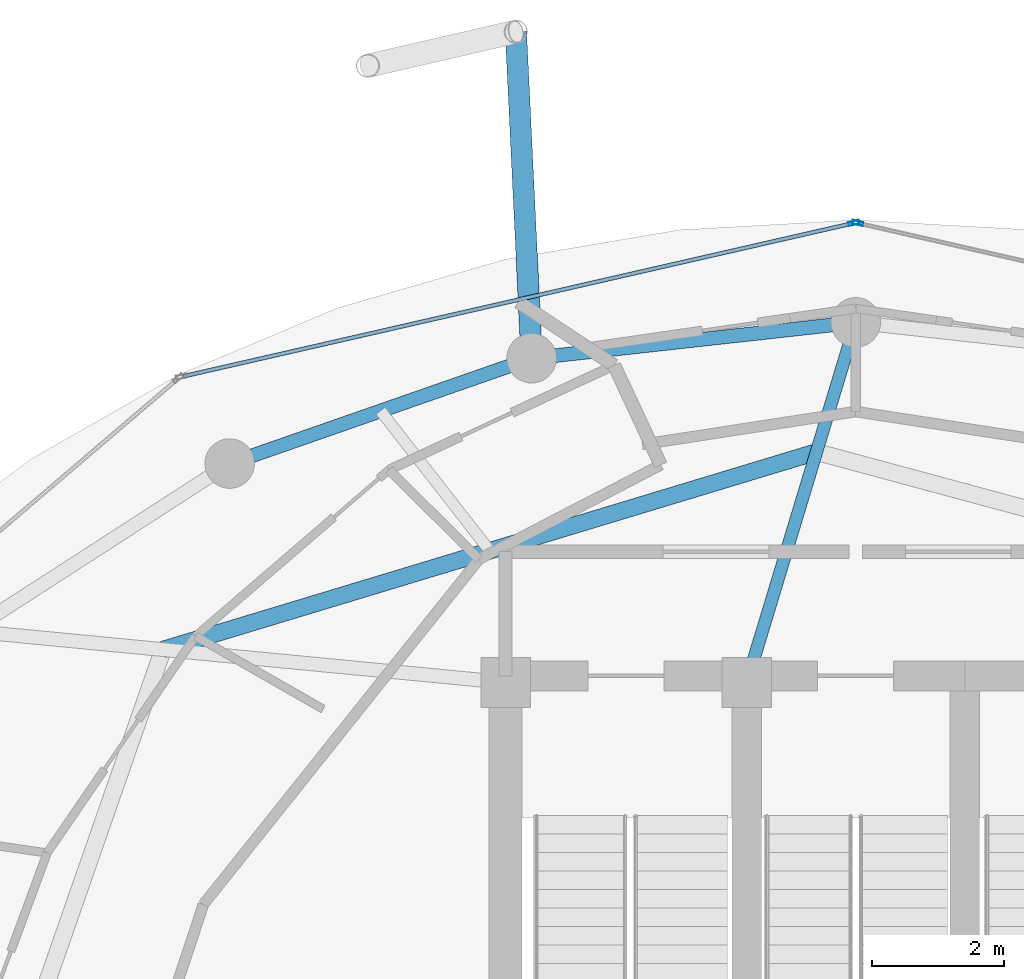
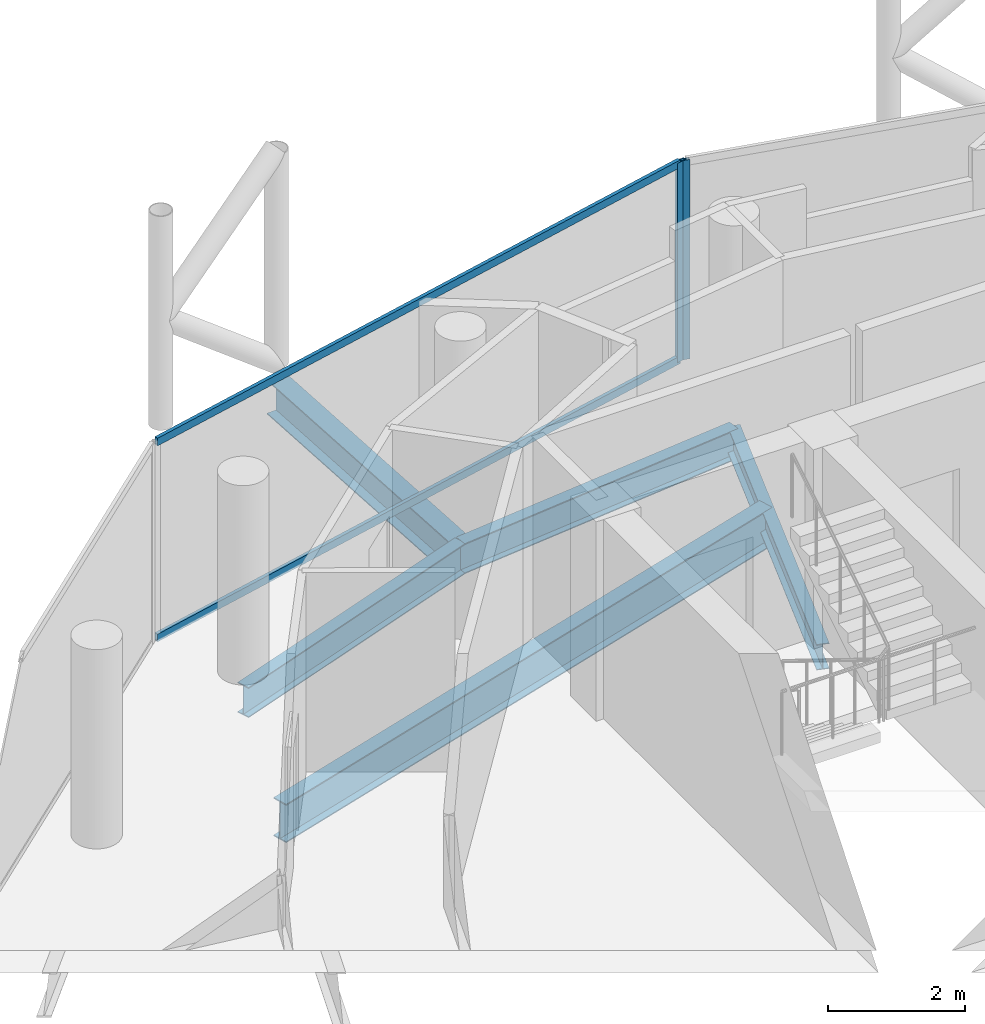
# One storey, part 16 of 24: 5 beams, 4 members, 2 elements without a shape of their own.
"""IFC4 building model written with IfcOpenShell, lengths in metres."""

import ifcopenshell
import ifcopenshell.guid

model = None  # the IFC model being written
_history = None  # IfcOwnerHistory: only IFC2X3 demands one
_inside = {}  # id of a spatial element -> (the spatial element, [elements in it])
_under = {}  # id of a project, library or spatial element -> (it, [spatial elements below it])
_declared = {}  # id of a project -> (the project, [libraries it declares])
_typed = {}  # id of a type object -> (the type object, [elements of that type])
_made_of = {}  # id of a material, layer set ... -> (it, [elements and type objects made of it])


def new_model(schema):
    """Start an empty IFC model of exactly this schema.

    Asked for "IFC4X3", IfcOpenShell would pick the latest addendum, in which some entities
    have other attributes; the version numbers below select the first issue.
    IFC2X3 requires an IfcOwnerHistory on every rooted entity: one is made here for all.
    """
    global model, _history
    if schema == "IFC4X3":
        model = ifcopenshell.file(schema_version=(4, 3, 0, 0))
    else:
        model = ifcopenshell.file(schema=schema)
    _inside.clear()
    _under.clear()
    _declared.clear()
    _typed.clear()
    _made_of.clear()
    _history = None
    if model.schema == "IFC2X3":
        org = make("IfcOrganization", Name="unknown")
        user = make(
            "IfcPersonAndOrganization",
            ThePerson=make("IfcPerson", FamilyName="unknown"),
            TheOrganization=org,
        )
        app = make(
            "IfcApplication",
            ApplicationDeveloper=org,
            Version="unknown",
            ApplicationFullName="unknown",
            ApplicationIdentifier="unknown",
        )
        _history = make(
            "IfcOwnerHistory",
            OwningUser=user,
            OwningApplication=app,
            ChangeAction="ADDED",
            CreationDate=0,
        )
    return model


def make(cls, **values):
    """One entity of the class cls with the attributes given. An attribute that is None is left unset."""
    return model.create_entity(
        cls, **{name: value for name, value in values.items() if value is not None}
    )


def rooted(cls, **values):
    """An entity with a GlobalId (a new one), such as an element, a storey or a relation."""
    return make(cls, GlobalId=ifcopenshell.guid.new(), OwnerHistory=_history, **values)


def si_unit(unit_type, name, prefix=None):
    """IfcSIUnit, for example si_unit("LENGTHUNIT", "METRE", prefix="MILLI")."""
    return make("IfcSIUnit", UnitType=unit_type, Prefix=prefix, Name=name)


def assignment(units):
    """IfcUnitAssignment: the units of a project."""
    return None if units is None else make("IfcUnitAssignment", Units=units)


def point(xyz):
    """IfcCartesianPoint."""
    return None if xyz is None else make("IfcCartesianPoint", Coordinates=xyz)


def direction(xyz):
    """IfcDirection."""
    return None if xyz is None else make("IfcDirection", DirectionRatios=xyz)


def frame(location, z_axis=None, x_axis=None):
    """IfcAxis2Placement3D, a coordinate frame: its origin and axes. An axis left out is left unset."""
    return make(
        "IfcAxis2Placement3D",
        Location=point(location),
        Axis=direction(z_axis),
        RefDirection=direction(x_axis),
    )


def frame_2d(location, x_axis=None):
    """IfcAxis2Placement2D, a coordinate frame in the plane: its origin and x axis."""
    return make(
        "IfcAxis2Placement2D", Location=point(location), RefDirection=direction(x_axis)
    )


def origin():
    """The frame at (0, 0, 0) with its axes left unset."""
    return frame((0.0, 0.0, 0.0))


def origin_2d():
    """The frame at (0, 0) in the plane with its x axis left unset."""
    return frame_2d((0.0, 0.0))


def place(relative_to, where):
    """IfcLocalPlacement: puts the frame where relative to a parent placement (None: the world)."""
    return make(
        "IfcLocalPlacement", PlacementRelTo=relative_to, RelativePlacement=where
    )


def context(
    kind, dimensions, precision=None, world=None, true_north=None, identifier=None
):
    """IfcGeometricRepresentationContext, for example the 3D "Model" context."""
    return make(
        "IfcGeometricRepresentationContext",
        ContextIdentifier=identifier,
        ContextType=kind,
        CoordinateSpaceDimension=dimensions,
        Precision=precision,
        WorldCoordinateSystem=world,
        TrueNorth=true_north,
    )


def subcontext(parent, identifier, kind, view, scale=None):
    """IfcGeometricRepresentationSubContext, for example "Body" below "Model"."""
    return make(
        "IfcGeometricRepresentationSubContext",
        ContextIdentifier=identifier,
        ContextType=kind,
        ParentContext=parent,
        TargetScale=scale,
        TargetView=view,
    )


def project(units=None, contexts=None):
    """IfcProject with its units and contexts."""
    return rooted(
        "IfcProject",
        Name="project",
        RepresentationContexts=contexts,
        UnitsInContext=assignment(units),
    )


def spatial(cls, under=None, at=None, **own):
    """A site, building, storey or space (cls), placed at a placement, below another one or the project."""
    s = rooted(cls, ObjectPlacement=at, **own)
    if under is not None:
        _under.setdefault(under.id(), (under, []))[1].append(s)
    return s


def profile(cls, at=None, kind="AREA", **sizes):
    """A parametric profile (cls). Its sizes go by their IFC names, for example OverallWidth=200.0."""
    return make(cls, ProfileType=kind, Position=at, **sizes)


def hollow_rectangle(**sizes):
    """IfcRectangleHollowProfileDef."""
    return profile("IfcRectangleHollowProfileDef", **sizes)


def i_section(**sizes):
    """IfcIShapeProfileDef."""
    return profile("IfcIShapeProfileDef", **sizes)


def extrude(swept, where, along, depth):
    """IfcExtrudedAreaSolid: the profile swept, set in the frame where, extruded along a direction by depth."""
    return make(
        "IfcExtrudedAreaSolid",
        SweptArea=swept,
        Position=where,
        ExtrudedDirection=direction(along),
        Depth=depth,
    )


def shape(context_of_items, identifier, shape_type, items):
    """IfcShapeRepresentation: the items that make up one representation, for example the "Body"."""
    return make(
        "IfcShapeRepresentation",
        ContextOfItems=context_of_items,
        RepresentationIdentifier=identifier,
        RepresentationType=shape_type,
        Items=items,
    )


def material(Name=None, Category=None):
    """IfcMaterial."""
    return make("IfcMaterial", Name=Name, Category=Category)


def layer(
    of_material, thickness, ventilated=None, Name=None, Category=None, Priority=None
):
    """IfcMaterialLayer: one layer of a wall or slab, of a material (None: an air gap)."""
    return make(
        "IfcMaterialLayer",
        Material=of_material,
        LayerThickness=thickness,
        IsVentilated=ventilated,
        Name=Name,
        Category=Category,
        Priority=Priority,
    )


def layer_set(layers, Name=None):
    """IfcMaterialLayerSet."""
    return make("IfcMaterialLayerSet", MaterialLayers=layers, LayerSetName=Name)


def material_profile(
    of_material, cross_section, Name=None, Category=None, Priority=None
):
    """IfcMaterialProfile: a cross section and its material."""
    return make(
        "IfcMaterialProfile",
        Name=Name,
        Material=of_material,
        Profile=cross_section,
        Priority=Priority,
        Category=Category,
    )


def profile_set(profiles, Name=None, composite=None):
    """IfcMaterialProfileSet."""
    return make(
        "IfcMaterialProfileSet",
        Name=Name,
        MaterialProfiles=profiles,
        CompositeProfile=composite,
    )


def made_of(thing, what):
    """Note that an element or type object is made of a material, layer set ...; save() writes the relation."""
    if what is not None:
        _made_of.setdefault(what.id(), (what, []))[1].append(thing)
    return thing


def type_object(cls, material=None, **own):
    """A type object (cls), such as IfcWallType, which elements share."""
    return made_of(rooted(cls, **own), material)


def element(
    cls,
    number,
    at=None,
    inside=None,
    cuts=None,
    type_object=None,
    material=None,
    context=None,
    identifier="Body",
    shape_type=None,
    held_by="IfcProductDefinitionShape",
    body=None,
    shapes=None,
    **own,
):
    """One element of the class cls, such as IfcWall. Its Tag is "e" and its number.

    at: its placement. inside: the storey or other place that contains it. cuts: it is an
    opening in that element (IfcRelVoidsElement). A single representation is given by context,
    identifier, shape_type and body (its items); several are given by shapes. held_by: the class
    of the entity that holds the representations. save() writes the other relations.
    """
    e = rooted(cls, Tag="e%d" % number, ObjectPlacement=at, **own)
    if body is not None:
        shapes = [shape(context, identifier, shape_type, body)]
    if shapes is not None:
        e.Representation = make(held_by, Representations=shapes)
    if inside is not None:
        _inside.setdefault(inside.id(), (inside, []))[1].append(e)
    if cuts is not None:
        rooted(
            "IfcRelVoidsElement", RelatingBuildingElement=cuts, RelatedOpeningElement=e
        )
    if type_object is not None:
        _typed.setdefault(type_object.id(), (type_object, []))[1].append(e)
    return made_of(e, material)


def aggregate(whole, parts):
    """IfcRelAggregates: a whole, such as a stair, and the parts it consists of."""
    return rooted("IfcRelAggregates", RelatingObject=whole, RelatedObjects=parts)


def save(model, path):
    """Write the relations noted so far, then the file.

    IfcRelAggregates (storeys below a building ...), IfcRelContainedInSpatialStructure (elements
    in a storey), IfcRelDefinesByType, IfcRelAssociatesMaterial and IfcRelDeclares: one each for
    every whole, place, type object, material and project.
    """
    for whole, parts in _under.values():
        aggregate(whole, parts)
    for where, things in _inside.values():
        rooted(
            "IfcRelContainedInSpatialStructure",
            RelatedElements=things,
            RelatingStructure=where,
        )
    for kind, things in _typed.values():
        rooted("IfcRelDefinesByType", RelatedObjects=things, RelatingType=kind)
    for what, things in _made_of.values():
        rooted("IfcRelAssociatesMaterial", RelatedObjects=things, RelatingMaterial=what)
    for by, libraries in _declared.values():
        rooted("IfcRelDeclares", RelatingContext=by, RelatedDefinitions=libraries)
    model.write(path)


model = new_model("IFC4")

# Units and contexts
model_context = context("Model", 3, precision=1e-05, world=origin(), true_north=direction((0.0, 1.0)))
body_context = subcontext(model_context, "Body", "Model", "MODEL_VIEW")
ifc_project = project(units=[si_unit("LENGTHUNIT", "METRE"), si_unit("AREAUNIT", "SQUARE_METRE"), si_unit("VOLUMEUNIT", "CUBIC_METRE"), si_unit("PLANEANGLEUNIT", "RADIAN"), si_unit("MASSUNIT", "GRAM", prefix="KILO")], contexts=[model_context])

# Site, building, storey
site_placement = place(None, origin())
site = spatial("IfcSite", under=ifc_project, at=site_placement, CompositionType="ELEMENT")
building_placement = place(site_placement, origin())
building = spatial("IfcBuilding", under=site, at=building_placement, Name="Nuhasar Tower", CompositionType="ELEMENT")
storey_placement = place(building_placement, frame((0.0, 0.0, 259.39990234375)))
storey = spatial("IfcBuildingStorey", under=building, at=storey_placement, Name="L64", CompositionType="ELEMENT", Elevation=259.39990234375)

# Beams
ifc_material_1 = material(Name="Steel S355", Category="steel")
ifc_material_profile_1 = material_profile(ifc_material_1, i_section(OverallWidth=0.25390625, OverallDepth=0.68408203125, WebThickness=0.012451171875, FlangeThickness=0.018798828125, at=origin_2d()), Name="W27X94")
ifc_profile_set_1 = profile_set([ifc_material_profile_1], Name="Steel S355")
beam_type_1 = type_object("IfcBeamType", Name="BM-INRING-W27X94", PredefinedType="BEAM", material=ifc_profile_set_1)
beam_1_placement = place(storey_placement, frame((38.406005859375, 40.7880859375, -0.601806640625), z_axis=(-0.957210818407, -0.289391515294, 0.0), x_axis=(0.289391515294, -0.957210818407, 0.0)))
element("IfcBeam", 1, at=beam_1_placement, inside=storey, type_object=beam_type_1, Name="L64 Inner Header Beam 06", PredefinedType="BEAM", context=body_context, shape_type="SweptSolid", body=[
    extrude(i_section(OverallWidth=0.25390625, OverallDepth=0.68408203125, WebThickness=0.012451171875, FlangeThickness=0.018798828125, at=origin_2d()), origin(), (0.0, 0.0, 1.0), 10.33203125),
])
ifc_material_profile_2 = material_profile(ifc_material_1, i_section(OverallWidth=0.18994140625, OverallDepth=0.45703125, WebThickness=0.009033203125, FlangeThickness=0.014404296875, at=origin_2d()), Name="W18X50")
ifc_profile_set_2 = profile_set([ifc_material_profile_2], Name="Steel S355")
beam_type_2 = type_object("IfcBeamType", Name="BM-RAD-W18X50", PredefinedType="BEAM", material=ifc_profile_set_2)
beam_2_placement = place(storey_placement, frame((37.35009765625, 37.300048828125, -0.489013671875), z_axis=(0.289750350206, 0.957102259195, 0.0), x_axis=(-0.957102259195, 0.289750350206, 0.0)))
element("IfcBeam", 2, at=beam_2_placement, inside=storey, type_object=beam_type_2, Name="L64 Radial Floor Girder 06", PredefinedType="BEAM", context=body_context, shape_type="SweptSolid", body=[
    extrude(i_section(OverallWidth=0.18994140625, OverallDepth=0.45703125, WebThickness=0.009033203125, FlangeThickness=0.014404296875, at=origin_2d()), origin(), (0.0, 0.0, 1.0), 5.6943359375),
])
ifc_material_profile_3 = material_profile(ifc_material_1, i_section(OverallWidth=0.2099609375, OverallDepth=0.537109375, WebThickness=0.010986328125, FlangeThickness=0.017333984375, at=origin_2d()), Name="W21X68")
ifc_profile_set_3 = profile_set([ifc_material_profile_3], Name="Steel S355")
beam_type_3 = type_object("IfcBeamType", Name="BM-RING-W21X68", PredefinedType="SPANDREL", material=ifc_profile_set_3)
beam_3_placement = place(storey_placement, frame((39.0, 42.75, -0.52880859375), z_axis=(-0.99392889943, -0.110024283128, 0.0), x_axis=(0.110024283128, -0.99392889943, 0.0)))
element("IfcBeam", 3, at=beam_3_placement, inside=storey, type_object=beam_type_3, Name="L64 Perimeter Ring Spandrel 07", PredefinedType="SPANDREL", context=body_context, shape_type="SweptSolid", body=[
    extrude(i_section(OverallWidth=0.2099609375, OverallDepth=0.537109375, WebThickness=0.010986328125, FlangeThickness=0.017333984375, at=origin_2d()), origin(), (0.0, 0.0, 1.0), 4.93505859375),
])
beam_4_placement = place(storey_placement, frame((34.094970703125, 42.20703125, -0.52880859375), z_axis=(-0.944214043504, -0.329332415729, 0.0), x_axis=(0.329332415729, -0.944214043504, 0.0)))
element("IfcBeam", 4, at=beam_4_placement, inside=storey, type_object=beam_type_3, Name="L64 Perimeter Ring Spandrel 08", PredefinedType="SPANDREL", context=body_context, shape_type="SweptSolid", body=[
    extrude(i_section(OverallWidth=0.2099609375, OverallDepth=0.537109375, WebThickness=0.010986328125, FlangeThickness=0.017333984375, at=origin_2d()), origin(), (0.0, 0.0, 1.0), 4.840087890625),
])
ifc_material_profile_4 = material_profile(ifc_material_1, i_section(OverallWidth=0.323974609375, OverallDepth=0.611083984375, WebThickness=0.0126953125, FlangeThickness=0.01904296875, at=origin_2d()), Name="W24X104")
ifc_profile_set_4 = profile_set([ifc_material_profile_4], Name="Steel S355")
beam_type_4 = type_object("IfcBeamType", Name="BM-TIE-W24X104", PredefinedType="BEAM", material=ifc_profile_set_4)
beam_5_placement = place(storey_placement, frame((34.094970703125, 42.20703125, -0.56591796875), z_axis=(-0.048111398417, 0.998841976162, 0.0), x_axis=(-0.998841976162, -0.048111398417, 0.0)))
element("IfcBeam", 5, at=beam_5_placement, inside=storey, type_object=beam_type_4, Name="L64 Exoskeleton Node Tie Beam 04", PredefinedType="BEAM", context=body_context, shape_type="SweptSolid", body=[
    extrude(i_section(OverallWidth=0.323974609375, OverallDepth=0.611083984375, WebThickness=0.0126953125, FlangeThickness=0.01904296875, at=origin_2d()), origin(), (0.0, 0.0, 1.0), 4.947509765625),
])

# Curtain wall, member
ifc_material_2 = material(Name="Aluminium 6063-T6", Category="aluminium")
ifc_layer = layer(ifc_material_2, 0.18994140625)
ifc_layer_set = layer_set([ifc_layer], Name="Aluminium 6063-T6")
curtain_wall_type = type_object("IfcCurtainWallType", Name="CW-Z4-PEN", PredefinedType="NOTDEFINED", material=ifc_layer_set)
curtain_wall_1_placement = place(storey_placement, origin())
curtain_wall_1 = element("IfcCurtainWall", 6, at=curtain_wall_1_placement, inside=storey, type_object=curtain_wall_type, Name="L64 Unitised Curtain Wall 03", PredefinedType="NOTDEFINED")
ifc_material_profile_5 = material_profile(ifc_material_2, hollow_rectangle(XDim=0.06005859375, YDim=0.1650390625, WallThickness=0.0048828125, at=origin_2d()), Name="CWM-5")
ifc_profile_set_5 = profile_set([ifc_material_profile_5], Name="Aluminium 6063-T6")
member_type_1 = type_object("IfcMemberType", Name="CW-MUL-S5", PredefinedType="MULLION", material=ifc_profile_set_5)
member_1_placement = place(storey_placement, frame((39.029296875, 44.25341796875, 0.0), z_axis=(0.0, 0.0, 1.0), x_axis=(-0.222889487645, -0.97484371891, 0.0)))
member_1 = element("IfcMember", 7, at=member_1_placement, type_object=member_type_1, Name="CW-Z4 mullion 2", PredefinedType="MULLION", context=body_context, shape_type="SweptSolid", body=[
    extrude(hollow_rectangle(XDim=0.06005859375, YDim=0.1650390625, WallThickness=0.0048828125, at=origin_2d()), origin(), (0.0, 0.0, 1.0), 3.5400390625),
])
aggregate(curtain_wall_1, [member_1])

# Curtain wall, members
curtain_wall_2_placement = place(storey_placement, origin())
curtain_wall_2 = element("IfcCurtainWall", 8, at=curtain_wall_2_placement, inside=storey, type_object=curtain_wall_type, Name="L64 Unitised Curtain Wall 04", PredefinedType="NOTDEFINED")
member_2_placement = place(storey_placement, frame((38.970703125, 44.25341796875, 0.0), z_axis=(0.0, 0.0, 1.0), x_axis=(0.222889487645, -0.97484371891, 0.0)))
member_2 = element("IfcMember", 9, at=member_2_placement, type_object=member_type_1, Name="CW-Z4 mullion 1", PredefinedType="MULLION", context=body_context, shape_type="SweptSolid", body=[
    extrude(hollow_rectangle(XDim=0.06005859375, YDim=0.1650390625, WallThickness=0.0048828125, at=origin_2d()), origin(), (0.0, 0.0, 1.0), 3.5400390625),
])
ifc_material_profile_6 = material_profile(ifc_material_2, hollow_rectangle(XDim=0.06005859375, YDim=0.135009765625, WallThickness=0.00439453125, at=origin_2d()), Name="CWT-5")
ifc_profile_set_6 = profile_set([ifc_material_profile_6], Name="Aluminium 6063-T6")
member_type_2 = type_object("IfcMemberType", Name="CW-TRN-S5", PredefinedType="USERDEFINED", material=ifc_profile_set_6)
member_3_placement = place(storey_placement, frame((38.94140625, 44.24658203125, 0.030029296875), z_axis=(-0.974843752401, -0.222889341163, 0.0), x_axis=(0.222889341163, -0.974843752401, 0.0)))
member_3 = element("IfcMember", 10, at=member_3_placement, type_object=member_type_2, Name="CW-Z4 transom 1.1", ObjectType="TRANSOM", PredefinedType="USERDEFINED", context=body_context, shape_type="SweptSolid", body=[
    extrude(hollow_rectangle(XDim=0.06005859375, YDim=0.135009765625, WallThickness=0.00439453125, at=origin_2d()), origin(), (0.0, 0.0, 1.0), 10.3740234375),
])
member_4_placement = place(storey_placement, frame((38.94140625, 44.24658203125, 3.510009765625), z_axis=(-0.974843752401, -0.222889341163, 0.0), x_axis=(0.222889341163, -0.974843752401, 0.0)))
member_4 = element("IfcMember", 11, at=member_4_placement, type_object=member_type_2, Name="CW-Z4 transom 1.2", ObjectType="TRANSOM", PredefinedType="USERDEFINED", context=body_context, shape_type="SweptSolid", body=[
    extrude(hollow_rectangle(XDim=0.06005859375, YDim=0.135009765625, WallThickness=0.00439453125, at=origin_2d()), origin(), (0.0, 0.0, 1.0), 10.3740234375),
])
aggregate(curtain_wall_2, [member_2, member_3, member_4])

save(model, "model.ifc")
